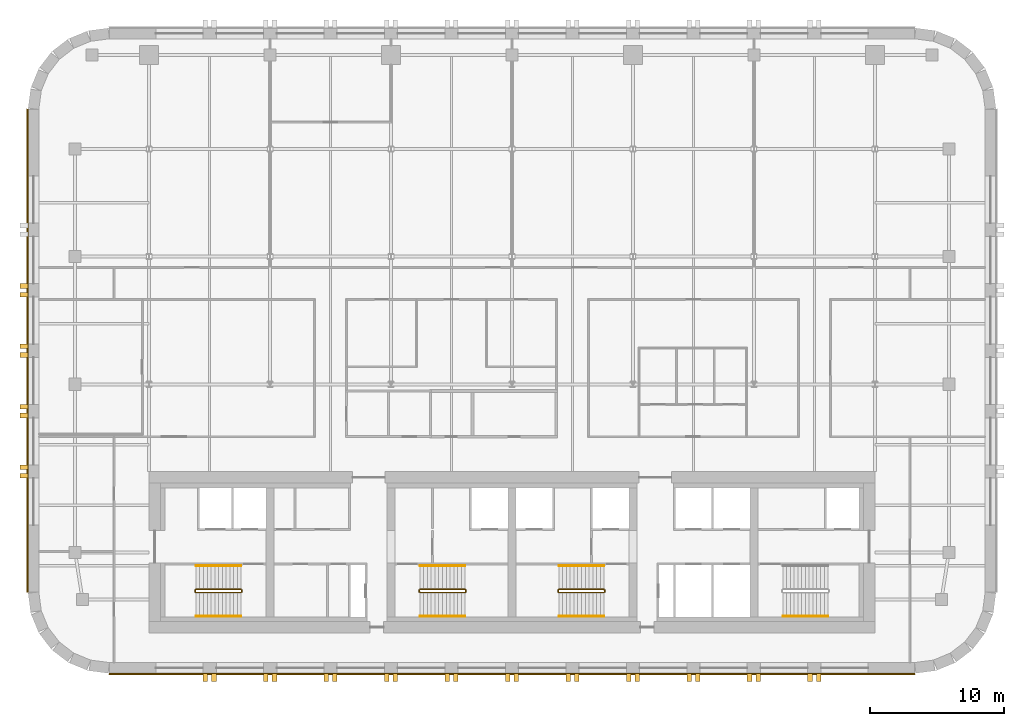
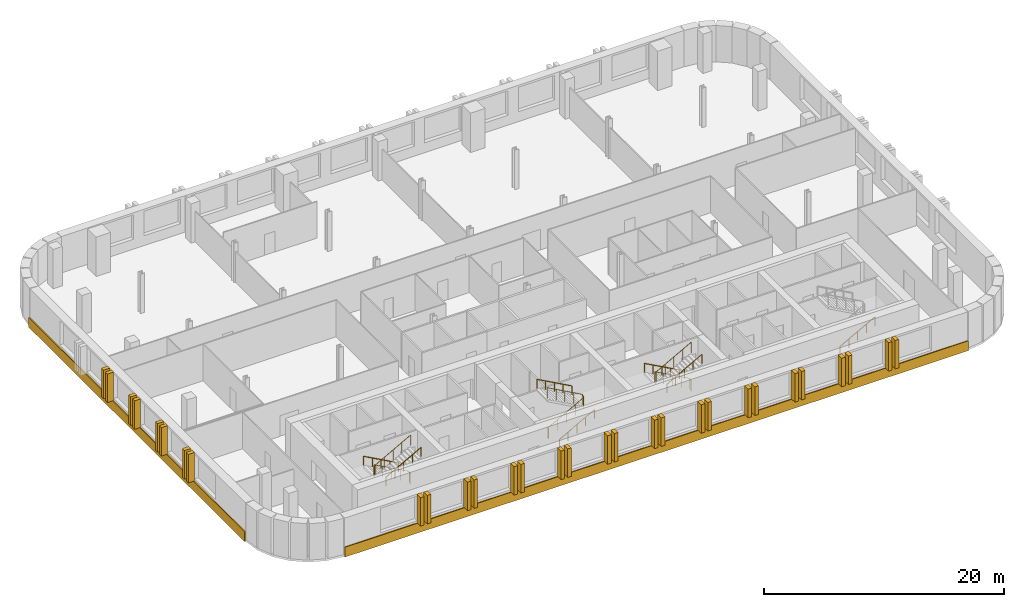
# One storey, part 10 of 11: 32 coverings, 10 railings.
"""IFC4 building model written with IfcOpenShell, lengths in metres."""

from ifc_helpers import new_model, si_unit, direction, frame, origin, origin_2d, place, context, subcontext, project, spatial, polyline, circle, outline, extrude, material, layer, layer_set, type_object, element, save


model = new_model("IFC4")

# Units and contexts
model_context = context("Model", 3, precision=1e-05, world=origin(), true_north=direction((0.0, 1.0)))
body_context = subcontext(model_context, "Body", "Model", "MODEL_VIEW")
ifc_project = project(units=[si_unit("LENGTHUNIT", "METRE"), si_unit("AREAUNIT", "SQUARE_METRE"), si_unit("VOLUMEUNIT", "CUBIC_METRE"), si_unit("PLANEANGLEUNIT", "RADIAN"), si_unit("MASSUNIT", "GRAM", prefix="KILO")], contexts=[model_context])

# Site, building, storey
site_placement = place(None, origin())
site = spatial("IfcSite", under=ifc_project, at=site_placement, CompositionType="ELEMENT")
building_placement = place(site_placement, origin())
building = spatial("IfcBuilding", under=site, at=building_placement, Name="Zellij Exchange Tower", CompositionType="ELEMENT")
storey_placement = place(building_placement, frame((0.0, 0.0, 208.5)))
storey = spatial("IfcBuildingStorey", under=building, at=storey_placement, Name="L48", CompositionType="ELEMENT", Elevation=208.5)

# Railings
ifc_material_1 = material(Name="Stainless steel", Category="steel")
railing_type_1 = type_object("IfcRailingType", Name="CORE-RG stair guard", PredefinedType="GUARDRAIL", material=ifc_material_1)
railing_1_placement = place(storey_placement, frame((-20.10009765625, -10.800048828125, 0.0)))
element("IfcRailing", 1, at=railing_1_placement, inside=storey, type_object=railing_type_1, Name="ST1 stair guard L48", PredefinedType="GUARDRAIL", context=body_context, shape_type="SweptSolid", body=[
    extrude(circle(Radius=0.02392578125, at=origin_2d()), frame((0.0, 0.0, 1.076171875), z_axis=(0.0, -1.0, 0.0), x_axis=(1.0, 0.0, 0.0)), (0.0, 0.0, 1.0), 0.14990234375),
    extrude(circle(Radius=0.02392578125, at=origin_2d()), frame((0.0, -0.14990234375, 1.076171875), z_axis=(-0.193691321961, 0.777613689637, 0.598164376644), x_axis=(-0.970351222016, -0.241699205484, 0.0)), (0.0, 0.0, 1.0), 0.257080078125),
    extrude(circle(Radius=0.02392578125, at=origin_2d()), frame((-0.0498046875, 0.050048828125, 1.22998046875), z_axis=(-0.876421534553, 0.0, 0.481544695509), x_axis=(0.0, -1.0, 0.0)), (0.0, 0.0, 1.0), 3.833984375),
    extrude(circle(Radius=0.02392578125, at=origin_2d()), frame((-3.409912109375, 0.050048828125, 3.076171875), z_axis=(-0.707106781187, -0.707106781187, 0.0), x_axis=(0.707106781187, -0.707106781187, 0.0)), (0.0, 0.0, 1.0), 0.07080078125),
    extrude(circle(Radius=0.02392578125, at=origin_2d()), frame((-3.4599609375, 0.0, 3.076171875), z_axis=(0.0, -1.0, 0.0), x_axis=(1.0, 0.0, 0.0)), (0.0, 0.0, 1.0), 0.14990234375),
    extrude(circle(Radius=0.02392578125, at=origin_2d()), frame((-3.4599609375, -0.14990234375, 3.076171875), z_axis=(0.295599637079, -0.295599637079, 0.908428152975), x_axis=(0.707106781187, 0.707106781187, 0.0)), (0.0, 0.0, 1.0), 0.16943359375),
    extrude(circle(Radius=0.02392578125, at=origin_2d()), frame((-3.409912109375, -0.199951171875, 3.22998046875), z_axis=(0.876421534553, 0.0, 0.481544695509), x_axis=(0.0, 1.0, 0.0)), (0.0, 0.0, 1.0), 3.833984375),
    extrude(circle(Radius=0.02099609375, at=origin_2d()), origin(), (0.0, 0.0, 1.0), 1.052001953125),
    extrude(circle(Radius=0.02099609375, at=origin_2d()), frame((0.0, -0.14990234375, 0.0)), (0.0, 0.0, 1.0), 1.052001953125),
    extrude(circle(Radius=0.02099609375, at=origin_2d()), frame((-0.0498046875, 0.050048828125, 0.15380859375)), (0.0, 0.0, 1.0), 1.052001953125),
    extrude(circle(Radius=0.02099609375, at=origin_2d()), frame((-0.889892578125, 0.050048828125, 0.615234375)), (0.0, 0.0, 1.0), 1.052001953125),
    extrude(circle(Radius=0.02099609375, at=origin_2d()), frame((-1.72998046875, 0.050048828125, 1.076904296875)), (0.0, 0.0, 1.0), 1.052001953125),
    extrude(circle(Radius=0.02099609375, at=origin_2d()), frame((-2.56982421875, 0.050048828125, 1.53857421875)), (0.0, 0.0, 1.0), 1.052001953125),
    extrude(circle(Radius=0.02099609375, at=origin_2d()), frame((-3.409912109375, 0.050048828125, 2.0)), (0.0, 0.0, 1.0), 1.052001953125),
    extrude(circle(Radius=0.02099609375, at=origin_2d()), frame((-3.4599609375, 0.0, 2.0)), (0.0, 0.0, 1.0), 1.052001953125),
    extrude(circle(Radius=0.02099609375, at=origin_2d()), frame((-3.4599609375, -0.14990234375, 2.0)), (0.0, 0.0, 1.0), 1.052001953125),
    extrude(circle(Radius=0.02099609375, at=origin_2d()), frame((-3.409912109375, -0.199951171875, 2.15380859375)), (0.0, 0.0, 1.0), 1.052001953125),
    extrude(circle(Radius=0.02099609375, at=origin_2d()), frame((-2.56982421875, -0.199951171875, 2.615234375)), (0.0, 0.0, 1.0), 1.052001953125),
    extrude(circle(Radius=0.02099609375, at=origin_2d()), frame((-1.72998046875, -0.199951171875, 3.076904296875)), (0.0, 0.0, 1.0), 1.052001953125),
    extrude(circle(Radius=0.02099609375, at=origin_2d()), frame((-0.889892578125, -0.199951171875, 3.53857421875)), (0.0, 0.0, 1.0), 1.052001953125),
    extrude(circle(Radius=0.02099609375, at=origin_2d()), frame((-0.0498046875, -0.199951171875, 4.0)), (0.0, 0.0, 1.0), 1.052001953125),
])
railing_2_placement = place(storey_placement, frame((-6.89990234375, -10.949951171875, 0.0)))
element("IfcRailing", 2, at=railing_2_placement, inside=storey, type_object=railing_type_1, Name="ST2 stair guard L48", PredefinedType="GUARDRAIL", context=body_context, shape_type="SweptSolid", body=[
    extrude(circle(Radius=0.02392578125, at=origin_2d()), frame((0.0, 0.0, 1.076171875), z_axis=(0.0, 1.0, 0.0), x_axis=(-1.0, 0.0, 0.0)), (0.0, 0.0, 1.0), 0.14990234375),
    extrude(circle(Radius=0.02392578125, at=origin_2d()), frame((0.0, 0.14990234375, 1.076171875), z_axis=(0.193691321961, -0.777613689637, 0.598164376644), x_axis=(0.970351222016, 0.241699205484, 0.0)), (0.0, 0.0, 1.0), 0.257080078125),
    extrude(circle(Radius=0.02392578125, at=origin_2d()), frame((0.0498046875, -0.050048828125, 1.22998046875), z_axis=(0.876421534553, 0.0, 0.481544695509), x_axis=(0.0, 1.0, 0.0)), (0.0, 0.0, 1.0), 3.833984375),
    extrude(circle(Radius=0.02392578125, at=origin_2d()), frame((3.409912109375, -0.050048828125, 3.076171875), z_axis=(0.707106781187, 0.707106781187, 0.0), x_axis=(-0.707106781187, 0.707106781187, 0.0)), (0.0, 0.0, 1.0), 0.07080078125),
    extrude(circle(Radius=0.02392578125, at=origin_2d()), frame((3.4599609375, 0.0, 3.076171875), z_axis=(0.0, 1.0, 0.0), x_axis=(-1.0, 0.0, 0.0)), (0.0, 0.0, 1.0), 0.14990234375),
    extrude(circle(Radius=0.02392578125, at=origin_2d()), frame((3.4599609375, 0.14990234375, 3.076171875), z_axis=(-0.295599637079, 0.295599637079, 0.908428152975), x_axis=(-0.707106781187, -0.707106781187, 0.0)), (0.0, 0.0, 1.0), 0.16943359375),
    extrude(circle(Radius=0.02392578125, at=origin_2d()), frame((3.409912109375, 0.199951171875, 3.22998046875), z_axis=(-0.876421534553, 0.0, 0.481544695509), x_axis=(0.0, -1.0, 0.0)), (0.0, 0.0, 1.0), 3.833984375),
    extrude(circle(Radius=0.02099609375, at=origin_2d()), origin(), (0.0, 0.0, 1.0), 1.052001953125),
    extrude(circle(Radius=0.02099609375, at=origin_2d()), frame((0.0, 0.14990234375, 0.0)), (0.0, 0.0, 1.0), 1.052001953125),
    extrude(circle(Radius=0.02099609375, at=origin_2d()), frame((0.0498046875, -0.050048828125, 0.15380859375)), (0.0, 0.0, 1.0), 1.052001953125),
    extrude(circle(Radius=0.02099609375, at=origin_2d()), frame((0.889892578125, -0.050048828125, 0.615234375)), (0.0, 0.0, 1.0), 1.052001953125),
    extrude(circle(Radius=0.02099609375, at=origin_2d()), frame((1.72998046875, -0.050048828125, 1.076904296875)), (0.0, 0.0, 1.0), 1.052001953125),
    extrude(circle(Radius=0.02099609375, at=origin_2d()), frame((2.56982421875, -0.050048828125, 1.53857421875)), (0.0, 0.0, 1.0), 1.052001953125),
    extrude(circle(Radius=0.02099609375, at=origin_2d()), frame((3.409912109375, -0.050048828125, 2.0)), (0.0, 0.0, 1.0), 1.052001953125),
    extrude(circle(Radius=0.02099609375, at=origin_2d()), frame((3.4599609375, 0.0, 2.0)), (0.0, 0.0, 1.0), 1.052001953125),
    extrude(circle(Radius=0.02099609375, at=origin_2d()), frame((3.4599609375, 0.14990234375, 2.0)), (0.0, 0.0, 1.0), 1.052001953125),
    extrude(circle(Radius=0.02099609375, at=origin_2d()), frame((3.409912109375, 0.199951171875, 2.15380859375)), (0.0, 0.0, 1.0), 1.052001953125),
    extrude(circle(Radius=0.02099609375, at=origin_2d()), frame((2.56982421875, 0.199951171875, 2.615234375)), (0.0, 0.0, 1.0), 1.052001953125),
    extrude(circle(Radius=0.02099609375, at=origin_2d()), frame((1.72998046875, 0.199951171875, 3.076904296875)), (0.0, 0.0, 1.0), 1.052001953125),
    extrude(circle(Radius=0.02099609375, at=origin_2d()), frame((0.889892578125, 0.199951171875, 3.53857421875)), (0.0, 0.0, 1.0), 1.052001953125),
    extrude(circle(Radius=0.02099609375, at=origin_2d()), frame((0.0498046875, 0.199951171875, 4.0)), (0.0, 0.0, 1.0), 1.052001953125),
])
railing_3_placement = place(storey_placement, frame((6.89990234375, -10.800048828125, 0.0)))
element("IfcRailing", 3, at=railing_3_placement, inside=storey, type_object=railing_type_1, Name="ST3 stair guard L48", PredefinedType="GUARDRAIL", context=body_context, shape_type="SweptSolid", body=[
    extrude(circle(Radius=0.02392578125, at=origin_2d()), frame((0.0, 0.0, 1.076171875), z_axis=(0.0, -1.0, 0.0), x_axis=(1.0, 0.0, 0.0)), (0.0, 0.0, 1.0), 0.14990234375),
    extrude(circle(Radius=0.02392578125, at=origin_2d()), frame((0.0, -0.14990234375, 1.076171875), z_axis=(-0.193691321961, 0.777613689637, 0.598164376644), x_axis=(-0.970351222016, -0.241699205484, 0.0)), (0.0, 0.0, 1.0), 0.257080078125),
    extrude(circle(Radius=0.02392578125, at=origin_2d()), frame((-0.0498046875, 0.050048828125, 1.22998046875), z_axis=(-0.876421534553, 0.0, 0.481544695509), x_axis=(0.0, -1.0, 0.0)), (0.0, 0.0, 1.0), 3.833984375),
    extrude(circle(Radius=0.02392578125, at=origin_2d()), frame((-3.409912109375, 0.050048828125, 3.076171875), z_axis=(-0.707106781187, -0.707106781187, 0.0), x_axis=(0.707106781187, -0.707106781187, 0.0)), (0.0, 0.0, 1.0), 0.07080078125),
    extrude(circle(Radius=0.02392578125, at=origin_2d()), frame((-3.4599609375, 0.0, 3.076171875), z_axis=(0.0, -1.0, 0.0), x_axis=(1.0, 0.0, 0.0)), (0.0, 0.0, 1.0), 0.14990234375),
    extrude(circle(Radius=0.02392578125, at=origin_2d()), frame((-3.4599609375, -0.14990234375, 3.076171875), z_axis=(0.295599637079, -0.295599637079, 0.908428152975), x_axis=(0.707106781187, 0.707106781187, 0.0)), (0.0, 0.0, 1.0), 0.16943359375),
    extrude(circle(Radius=0.02392578125, at=origin_2d()), frame((-3.409912109375, -0.199951171875, 3.22998046875), z_axis=(0.876421534553, 0.0, 0.481544695509), x_axis=(0.0, 1.0, 0.0)), (0.0, 0.0, 1.0), 3.833984375),
    extrude(circle(Radius=0.02099609375, at=origin_2d()), origin(), (0.0, 0.0, 1.0), 1.052001953125),
    extrude(circle(Radius=0.02099609375, at=origin_2d()), frame((0.0, -0.14990234375, 0.0)), (0.0, 0.0, 1.0), 1.052001953125),
    extrude(circle(Radius=0.02099609375, at=origin_2d()), frame((-0.0498046875, 0.050048828125, 0.15380859375)), (0.0, 0.0, 1.0), 1.052001953125),
    extrude(circle(Radius=0.02099609375, at=origin_2d()), frame((-0.889892578125, 0.050048828125, 0.615234375)), (0.0, 0.0, 1.0), 1.052001953125),
    extrude(circle(Radius=0.02099609375, at=origin_2d()), frame((-1.72998046875, 0.050048828125, 1.076904296875)), (0.0, 0.0, 1.0), 1.052001953125),
    extrude(circle(Radius=0.02099609375, at=origin_2d()), frame((-2.56982421875, 0.050048828125, 1.53857421875)), (0.0, 0.0, 1.0), 1.052001953125),
    extrude(circle(Radius=0.02099609375, at=origin_2d()), frame((-3.409912109375, 0.050048828125, 2.0)), (0.0, 0.0, 1.0), 1.052001953125),
    extrude(circle(Radius=0.02099609375, at=origin_2d()), frame((-3.4599609375, 0.0, 2.0)), (0.0, 0.0, 1.0), 1.052001953125),
    extrude(circle(Radius=0.02099609375, at=origin_2d()), frame((-3.4599609375, -0.14990234375, 2.0)), (0.0, 0.0, 1.0), 1.052001953125),
    extrude(circle(Radius=0.02099609375, at=origin_2d()), frame((-3.409912109375, -0.199951171875, 2.15380859375)), (0.0, 0.0, 1.0), 1.052001953125),
    extrude(circle(Radius=0.02099609375, at=origin_2d()), frame((-2.56982421875, -0.199951171875, 2.615234375)), (0.0, 0.0, 1.0), 1.052001953125),
    extrude(circle(Radius=0.02099609375, at=origin_2d()), frame((-1.72998046875, -0.199951171875, 3.076904296875)), (0.0, 0.0, 1.0), 1.052001953125),
    extrude(circle(Radius=0.02099609375, at=origin_2d()), frame((-0.889892578125, -0.199951171875, 3.53857421875)), (0.0, 0.0, 1.0), 1.052001953125),
    extrude(circle(Radius=0.02099609375, at=origin_2d()), frame((-0.0498046875, -0.199951171875, 4.0)), (0.0, 0.0, 1.0), 1.052001953125),
])
railing_type_2 = type_object("IfcRailingType", Name="CORE-RH stair handrail", PredefinedType="HANDRAIL", material=ifc_material_1)
railing_4_placement = place(storey_placement, frame((-20.14990234375, -9.0, 0.15380859375)))
element("IfcRailing", 4, at=railing_4_placement, inside=storey, type_object=railing_type_2, Name="ST1 stair handrail L48", PredefinedType="HANDRAIL", context=body_context, shape_type="SweptSolid", body=[
    extrude(circle(Radius=0.02392578125, at=origin_2d()), frame((0.0, 0.0, 0.8759765625), z_axis=(-0.876421534553, 0.0, 0.481544695509), x_axis=(0.0, -1.0, 0.0)), (0.0, 0.0, 1.0), 3.833984375),
    extrude(circle(Radius=0.02099609375, at=origin_2d()), origin(), (0.0, 0.0, 1.0), 0.851806640625),
    extrude(circle(Radius=0.02099609375, at=origin_2d()), frame((-0.840087890625, 0.0, 0.46142578125)), (0.0, 0.0, 1.0), 0.851806640625),
    extrude(circle(Radius=0.02099609375, at=origin_2d()), frame((-1.68017578125, 0.0, 0.923095703125)), (0.0, 0.0, 1.0), 0.851806640625),
    extrude(circle(Radius=0.02099609375, at=origin_2d()), frame((-2.52001953125, 0.0, 1.384765625)), (0.0, 0.0, 1.0), 0.851806640625),
    extrude(circle(Radius=0.02099609375, at=origin_2d()), frame((-3.360107421875, 0.0, 1.84619140625)), (0.0, 0.0, 1.0), 0.851806640625),
])
for number, where, name in (
    (5, (-23.510009765625, -12.75, 2.15380859375), "ST1 stair handrail L48"),
    (6, (-6.85009765625, -12.75, 0.15380859375), "ST2 stair handrail L48"),
):
    element("IfcRailing", number, at=place(storey_placement, frame(where)), inside=storey, type_object=railing_type_2, Name=name, PredefinedType="HANDRAIL", context=body_context, shape_type="SweptSolid", body=[
        extrude(circle(Radius=0.02392578125, at=origin_2d()), frame((0.0, 0.0, 0.8759765625), z_axis=(0.876421534553, 0.0, 0.481544695509), x_axis=(0.0, 1.0, 0.0)), (0.0, 0.0, 1.0), 3.833984375),
        extrude(circle(Radius=0.02099609375, at=origin_2d()), origin(), (0.0, 0.0, 1.0), 0.851806640625),
        extrude(circle(Radius=0.02099609375, at=origin_2d()), frame((0.840087890625, 0.0, 0.46142578125)), (0.0, 0.0, 1.0), 0.851806640625),
        extrude(circle(Radius=0.02099609375, at=origin_2d()), frame((1.68017578125, 0.0, 0.923095703125)), (0.0, 0.0, 1.0), 0.851806640625),
        extrude(circle(Radius=0.02099609375, at=origin_2d()), frame((2.52001953125, 0.0, 1.384765625)), (0.0, 0.0, 1.0), 0.851806640625),
        extrude(circle(Radius=0.02099609375, at=origin_2d()), frame((3.360107421875, 0.0, 1.84619140625)), (0.0, 0.0, 1.0), 0.851806640625),
    ])
for number, where, name in (
    (7, (-3.489990234375, -9.0, 2.15380859375), "ST2 stair handrail L48"),
    (8, (6.85009765625, -9.0, 0.15380859375), "ST3 stair handrail L48"),
):
    element("IfcRailing", number, at=place(storey_placement, frame(where)), inside=storey, type_object=railing_type_2, Name=name, PredefinedType="HANDRAIL", context=body_context, shape_type="SweptSolid", body=[
        extrude(circle(Radius=0.02392578125, at=origin_2d()), frame((0.0, 0.0, 0.8759765625), z_axis=(-0.876421534553, 0.0, 0.481544695509), x_axis=(0.0, -1.0, 0.0)), (0.0, 0.0, 1.0), 3.833984375),
        extrude(circle(Radius=0.02099609375, at=origin_2d()), origin(), (0.0, 0.0, 1.0), 0.851806640625),
        extrude(circle(Radius=0.02099609375, at=origin_2d()), frame((-0.840087890625, 0.0, 0.46142578125)), (0.0, 0.0, 1.0), 0.851806640625),
        extrude(circle(Radius=0.02099609375, at=origin_2d()), frame((-1.68017578125, 0.0, 0.923095703125)), (0.0, 0.0, 1.0), 0.851806640625),
        extrude(circle(Radius=0.02099609375, at=origin_2d()), frame((-2.52001953125, 0.0, 1.384765625)), (0.0, 0.0, 1.0), 0.851806640625),
        extrude(circle(Radius=0.02099609375, at=origin_2d()), frame((-3.360107421875, 0.0, 1.84619140625)), (0.0, 0.0, 1.0), 0.851806640625),
    ])
for number, where, name in (
    (9, (3.489990234375, -12.75, 2.15380859375), "ST3 stair handrail L48"),
    (10, (20.14990234375, -12.75, 0.15380859375), "ST4 stair handrail L48"),
):
    element("IfcRailing", number, at=place(storey_placement, frame(where)), inside=storey, type_object=railing_type_2, Name=name, PredefinedType="HANDRAIL", context=body_context, shape_type="SweptSolid", body=[
        extrude(circle(Radius=0.02392578125, at=origin_2d()), frame((0.0, 0.0, 0.8759765625), z_axis=(0.876421534553, 0.0, 0.481544695509), x_axis=(0.0, 1.0, 0.0)), (0.0, 0.0, 1.0), 3.833984375),
        extrude(circle(Radius=0.02099609375, at=origin_2d()), origin(), (0.0, 0.0, 1.0), 0.851806640625),
        extrude(circle(Radius=0.02099609375, at=origin_2d()), frame((0.840087890625, 0.0, 0.46142578125)), (0.0, 0.0, 1.0), 0.851806640625),
        extrude(circle(Radius=0.02099609375, at=origin_2d()), frame((1.68017578125, 0.0, 0.923095703125)), (0.0, 0.0, 1.0), 0.851806640625),
        extrude(circle(Radius=0.02099609375, at=origin_2d()), frame((2.52001953125, 0.0, 1.384765625)), (0.0, 0.0, 1.0), 0.851806640625),
        extrude(circle(Radius=0.02099609375, at=origin_2d()), frame((3.360107421875, 0.0, 1.84619140625)), (0.0, 0.0, 1.0), 0.851806640625),
    ])

# Coverings
ifc_material_2 = material(Name="Limestone cladding", Category="masonry")
covering_type_1 = type_object("IfcCoveringType", Name="ENV-CV3 Stone pier 350x600", PredefinedType="CLADDING", material=ifc_material_2)
covering_1_placement = place(storey_placement, frame((0.0, 0.0, 0.800048828125)))
element("IfcCovering", 11, at=covering_1_placement, inside=storey, type_object=covering_type_1, Name="Stone pier", PredefinedType="CLADDING", context=body_context, shape_type="SweptSolid", body=[
    extrude(outline(polyline([(-23.0, -17.0), (-22.64990234375, -17.0), (-22.64990234375, -17.60009765625), (-23.0, -17.60009765625), (-23.0, -17.0)])), origin(), (0.0, 0.0, 1.0), 2.89990234375),
])
covering_2_placement = place(storey_placement, frame((0.0, 0.0, 0.800048828125)))
element("IfcCovering", 12, at=covering_2_placement, inside=storey, type_object=covering_type_1, Name="Stone pier", PredefinedType="CLADDING", context=body_context, shape_type="SweptSolid", body=[
    extrude(outline(polyline([(-22.35009765625, -17.0), (-22.0, -17.0), (-22.0, -17.60009765625), (-22.35009765625, -17.60009765625), (-22.35009765625, -17.0)])), origin(), (0.0, 0.0, 1.0), 2.89990234375),
])
covering_3_placement = place(storey_placement, frame((0.0, 0.0, 0.800048828125)))
element("IfcCovering", 13, at=covering_3_placement, inside=storey, type_object=covering_type_1, Name="Stone pier", PredefinedType="CLADDING", context=body_context, shape_type="SweptSolid", body=[
    extrude(outline(polyline([(-18.5, -17.0), (-18.14990234375, -17.0), (-18.14990234375, -17.60009765625), (-18.5, -17.60009765625), (-18.5, -17.0)])), origin(), (0.0, 0.0, 1.0), 2.89990234375),
])
covering_4_placement = place(storey_placement, frame((0.0, 0.0, 0.800048828125)))
element("IfcCovering", 14, at=covering_4_placement, inside=storey, type_object=covering_type_1, Name="Stone pier", PredefinedType="CLADDING", context=body_context, shape_type="SweptSolid", body=[
    extrude(outline(polyline([(-17.85009765625, -17.0), (-17.5, -17.0), (-17.5, -17.60009765625), (-17.85009765625, -17.60009765625), (-17.85009765625, -17.0)])), origin(), (0.0, 0.0, 1.0), 2.89990234375),
])
covering_5_placement = place(storey_placement, frame((0.0, 0.0, 0.800048828125)))
element("IfcCovering", 15, at=covering_5_placement, inside=storey, type_object=covering_type_1, Name="Stone pier", PredefinedType="CLADDING", context=body_context, shape_type="SweptSolid", body=[
    extrude(outline(polyline([(-14.0, -17.0), (-13.64990234375, -17.0), (-13.64990234375, -17.60009765625), (-14.0, -17.60009765625), (-14.0, -17.0)])), origin(), (0.0, 0.0, 1.0), 2.89990234375),
])
covering_6_placement = place(storey_placement, frame((0.0, 0.0, 0.800048828125)))
element("IfcCovering", 16, at=covering_6_placement, inside=storey, type_object=covering_type_1, Name="Stone pier", PredefinedType="CLADDING", context=body_context, shape_type="SweptSolid", body=[
    extrude(outline(polyline([(-13.35009765625, -17.0), (-13.0, -17.0), (-13.0, -17.60009765625), (-13.35009765625, -17.60009765625), (-13.35009765625, -17.0)])), origin(), (0.0, 0.0, 1.0), 2.89990234375),
])
covering_7_placement = place(storey_placement, frame((0.0, 0.0, 0.800048828125)))
element("IfcCovering", 17, at=covering_7_placement, inside=storey, type_object=covering_type_1, Name="Stone pier", PredefinedType="CLADDING", context=body_context, shape_type="SweptSolid", body=[
    extrude(outline(polyline([(-9.5, -17.0), (-9.14990234375, -17.0), (-9.14990234375, -17.60009765625), (-9.5, -17.60009765625), (-9.5, -17.0)])), origin(), (0.0, 0.0, 1.0), 2.89990234375),
])
covering_8_placement = place(storey_placement, frame((0.0, 0.0, 0.800048828125)))
element("IfcCovering", 18, at=covering_8_placement, inside=storey, type_object=covering_type_1, Name="Stone pier", PredefinedType="CLADDING", context=body_context, shape_type="SweptSolid", body=[
    extrude(outline(polyline([(-8.85009765625, -17.0), (-8.5, -17.0), (-8.5, -17.60009765625), (-8.85009765625, -17.60009765625), (-8.85009765625, -17.0)])), origin(), (0.0, 0.0, 1.0), 2.89990234375),
])
covering_9_placement = place(storey_placement, frame((0.0, 0.0, 0.800048828125)))
element("IfcCovering", 19, at=covering_9_placement, inside=storey, type_object=covering_type_1, Name="Stone pier", PredefinedType="CLADDING", context=body_context, shape_type="SweptSolid", body=[
    extrude(outline(polyline([(-5.0, -17.0), (-4.64990234375, -17.0), (-4.64990234375, -17.60009765625), (-5.0, -17.60009765625), (-5.0, -17.0)])), origin(), (0.0, 0.0, 1.0), 2.89990234375),
])
covering_10_placement = place(storey_placement, frame((0.0, 0.0, 0.800048828125)))
element("IfcCovering", 20, at=covering_10_placement, inside=storey, type_object=covering_type_1, Name="Stone pier", PredefinedType="CLADDING", context=body_context, shape_type="SweptSolid", body=[
    extrude(outline(polyline([(-4.35009765625, -17.0), (-4.0, -17.0), (-4.0, -17.60009765625), (-4.35009765625, -17.60009765625), (-4.35009765625, -17.0)])), origin(), (0.0, 0.0, 1.0), 2.89990234375),
])
covering_11_placement = place(storey_placement, frame((0.0, 0.0, 0.800048828125)))
element("IfcCovering", 21, at=covering_11_placement, inside=storey, type_object=covering_type_1, Name="Stone pier", PredefinedType="CLADDING", context=body_context, shape_type="SweptSolid", body=[
    extrude(outline(polyline([(-0.5, -17.0), (-0.14990234375, -17.0), (-0.14990234375, -17.60009765625), (-0.5, -17.60009765625), (-0.5, -17.0)])), origin(), (0.0, 0.0, 1.0), 2.89990234375),
])
covering_12_placement = place(storey_placement, frame((0.0, 0.0, 0.800048828125)))
element("IfcCovering", 22, at=covering_12_placement, inside=storey, type_object=covering_type_1, Name="Stone pier", PredefinedType="CLADDING", context=body_context, shape_type="SweptSolid", body=[
    extrude(outline(polyline([(0.14990234375, -17.0), (0.5, -17.0), (0.5, -17.60009765625), (0.14990234375, -17.60009765625), (0.14990234375, -17.0)])), origin(), (0.0, 0.0, 1.0), 2.89990234375),
])
covering_13_placement = place(storey_placement, frame((0.0, 0.0, 0.800048828125)))
element("IfcCovering", 23, at=covering_13_placement, inside=storey, type_object=covering_type_1, Name="Stone pier", PredefinedType="CLADDING", context=body_context, shape_type="SweptSolid", body=[
    extrude(outline(polyline([(4.0, -17.0), (4.35009765625, -17.0), (4.35009765625, -17.60009765625), (4.0, -17.60009765625), (4.0, -17.0)])), origin(), (0.0, 0.0, 1.0), 2.89990234375),
])
covering_14_placement = place(storey_placement, frame((0.0, 0.0, 0.800048828125)))
element("IfcCovering", 24, at=covering_14_placement, inside=storey, type_object=covering_type_1, Name="Stone pier", PredefinedType="CLADDING", context=body_context, shape_type="SweptSolid", body=[
    extrude(outline(polyline([(4.64990234375, -17.0), (5.0, -17.0), (5.0, -17.60009765625), (4.64990234375, -17.60009765625), (4.64990234375, -17.0)])), origin(), (0.0, 0.0, 1.0), 2.89990234375),
])
covering_15_placement = place(storey_placement, frame((0.0, 0.0, 0.800048828125)))
element("IfcCovering", 25, at=covering_15_placement, inside=storey, type_object=covering_type_1, Name="Stone pier", PredefinedType="CLADDING", context=body_context, shape_type="SweptSolid", body=[
    extrude(outline(polyline([(8.5, -17.0), (8.85009765625, -17.0), (8.85009765625, -17.60009765625), (8.5, -17.60009765625), (8.5, -17.0)])), origin(), (0.0, 0.0, 1.0), 2.89990234375),
])
covering_16_placement = place(storey_placement, frame((0.0, 0.0, 0.800048828125)))
element("IfcCovering", 26, at=covering_16_placement, inside=storey, type_object=covering_type_1, Name="Stone pier", PredefinedType="CLADDING", context=body_context, shape_type="SweptSolid", body=[
    extrude(outline(polyline([(9.14990234375, -17.0), (9.5, -17.0), (9.5, -17.60009765625), (9.14990234375, -17.60009765625), (9.14990234375, -17.0)])), origin(), (0.0, 0.0, 1.0), 2.89990234375),
])
covering_17_placement = place(storey_placement, frame((0.0, 0.0, 0.800048828125)))
element("IfcCovering", 27, at=covering_17_placement, inside=storey, type_object=covering_type_1, Name="Stone pier", PredefinedType="CLADDING", context=body_context, shape_type="SweptSolid", body=[
    extrude(outline(polyline([(13.0, -17.0), (13.35009765625, -17.0), (13.35009765625, -17.60009765625), (13.0, -17.60009765625), (13.0, -17.0)])), origin(), (0.0, 0.0, 1.0), 2.89990234375),
])
covering_18_placement = place(storey_placement, frame((0.0, 0.0, 0.800048828125)))
element("IfcCovering", 28, at=covering_18_placement, inside=storey, type_object=covering_type_1, Name="Stone pier", PredefinedType="CLADDING", context=body_context, shape_type="SweptSolid", body=[
    extrude(outline(polyline([(13.64990234375, -17.0), (14.0, -17.0), (14.0, -17.60009765625), (13.64990234375, -17.60009765625), (13.64990234375, -17.0)])), origin(), (0.0, 0.0, 1.0), 2.89990234375),
])
covering_19_placement = place(storey_placement, frame((0.0, 0.0, 0.800048828125)))
element("IfcCovering", 29, at=covering_19_placement, inside=storey, type_object=covering_type_1, Name="Stone pier", PredefinedType="CLADDING", context=body_context, shape_type="SweptSolid", body=[
    extrude(outline(polyline([(17.5, -17.0), (17.85009765625, -17.0), (17.85009765625, -17.60009765625), (17.5, -17.60009765625), (17.5, -17.0)])), origin(), (0.0, 0.0, 1.0), 2.89990234375),
])
covering_20_placement = place(storey_placement, frame((0.0, 0.0, 0.800048828125)))
element("IfcCovering", 30, at=covering_20_placement, inside=storey, type_object=covering_type_1, Name="Stone pier", PredefinedType="CLADDING", context=body_context, shape_type="SweptSolid", body=[
    extrude(outline(polyline([(18.14990234375, -17.0), (18.5, -17.0), (18.5, -17.60009765625), (18.14990234375, -17.60009765625), (18.14990234375, -17.0)])), origin(), (0.0, 0.0, 1.0), 2.89990234375),
])
covering_21_placement = place(storey_placement, frame((0.0, 0.0, 0.800048828125)))
element("IfcCovering", 31, at=covering_21_placement, inside=storey, type_object=covering_type_1, Name="Stone pier", PredefinedType="CLADDING", context=body_context, shape_type="SweptSolid", body=[
    extrude(outline(polyline([(22.0, -17.0), (22.35009765625, -17.0), (22.35009765625, -17.60009765625), (22.0, -17.60009765625), (22.0, -17.0)])), origin(), (0.0, 0.0, 1.0), 2.89990234375),
])
covering_22_placement = place(storey_placement, frame((0.0, 0.0, 0.800048828125)))
element("IfcCovering", 32, at=covering_22_placement, inside=storey, type_object=covering_type_1, Name="Stone pier", PredefinedType="CLADDING", context=body_context, shape_type="SweptSolid", body=[
    extrude(outline(polyline([(22.64990234375, -17.0), (23.0, -17.0), (23.0, -17.60009765625), (22.64990234375, -17.60009765625), (22.64990234375, -17.0)])), origin(), (0.0, 0.0, 1.0), 2.89990234375),
])
covering_23_placement = place(storey_placement, frame((0.0, 0.0, 0.800048828125)))
element("IfcCovering", 33, at=covering_23_placement, inside=storey, type_object=covering_type_1, Name="Stone pier", PredefinedType="CLADDING", context=body_context, shape_type="SweptSolid", body=[
    extrude(outline(polyline([(-36.0, 11.993408203125), (-36.0, 11.6435546875), (-36.60009765625, 11.6435546875), (-36.60009765625, 11.993408203125), (-36.0, 11.993408203125)])), origin(), (0.0, 0.0, 1.0), 2.89990234375),
])
covering_24_placement = place(storey_placement, frame((0.0, 0.0, 0.800048828125)))
element("IfcCovering", 34, at=covering_24_placement, inside=storey, type_object=covering_type_1, Name="Stone pier", PredefinedType="CLADDING", context=body_context, shape_type="SweptSolid", body=[
    extrude(outline(polyline([(-36.0, 11.343505859375), (-36.0, 10.993408203125), (-36.60009765625, 10.993408203125), (-36.60009765625, 11.343505859375), (-36.0, 11.343505859375)])), origin(), (0.0, 0.0, 1.0), 2.89990234375),
])
covering_25_placement = place(storey_placement, frame((0.0, 0.0, 0.800048828125)))
element("IfcCovering", 35, at=covering_25_placement, inside=storey, type_object=covering_type_1, Name="Stone pier", PredefinedType="CLADDING", context=body_context, shape_type="SweptSolid", body=[
    extrude(outline(polyline([(-36.0, 7.5), (-36.0, 7.14990234375), (-36.60009765625, 7.14990234375), (-36.60009765625, 7.5), (-36.0, 7.5)])), origin(), (0.0, 0.0, 1.0), 2.89990234375),
])
covering_26_placement = place(storey_placement, frame((0.0, 0.0, 0.800048828125)))
element("IfcCovering", 36, at=covering_26_placement, inside=storey, type_object=covering_type_1, Name="Stone pier", PredefinedType="CLADDING", context=body_context, shape_type="SweptSolid", body=[
    extrude(outline(polyline([(-36.0, 6.85009765625), (-36.0, 6.5), (-36.60009765625, 6.5), (-36.60009765625, 6.85009765625), (-36.0, 6.85009765625)])), origin(), (0.0, 0.0, 1.0), 2.89990234375),
])
covering_27_placement = place(storey_placement, frame((0.0, 0.0, 0.800048828125)))
element("IfcCovering", 37, at=covering_27_placement, inside=storey, type_object=covering_type_1, Name="Stone pier", PredefinedType="CLADDING", context=body_context, shape_type="SweptSolid", body=[
    extrude(outline(polyline([(-36.0, 3.006591796875), (-36.0, 2.656494140625), (-36.60009765625, 2.656494140625), (-36.60009765625, 3.006591796875), (-36.0, 3.006591796875)])), origin(), (0.0, 0.0, 1.0), 2.89990234375),
])
covering_28_placement = place(storey_placement, frame((0.0, 0.0, 0.800048828125)))
element("IfcCovering", 38, at=covering_28_placement, inside=storey, type_object=covering_type_1, Name="Stone pier", PredefinedType="CLADDING", context=body_context, shape_type="SweptSolid", body=[
    extrude(outline(polyline([(-36.0, 2.356689453125), (-36.0, 2.006591796875), (-36.60009765625, 2.006591796875), (-36.60009765625, 2.356689453125), (-36.0, 2.356689453125)])), origin(), (0.0, 0.0, 1.0), 2.89990234375),
])
covering_29_placement = place(storey_placement, frame((0.0, 0.0, 0.800048828125)))
element("IfcCovering", 39, at=covering_29_placement, inside=storey, type_object=covering_type_1, Name="Stone pier", PredefinedType="CLADDING", context=body_context, shape_type="SweptSolid", body=[
    extrude(outline(polyline([(-36.0, -1.48681640625), (-36.0, -1.8369140625), (-36.60009765625, -1.8369140625), (-36.60009765625, -1.48681640625), (-36.0, -1.48681640625)])), origin(), (0.0, 0.0, 1.0), 2.89990234375),
])
covering_30_placement = place(storey_placement, frame((0.0, 0.0, 0.800048828125)))
element("IfcCovering", 40, at=covering_30_placement, inside=storey, type_object=covering_type_1, Name="Stone pier", PredefinedType="CLADDING", context=body_context, shape_type="SweptSolid", body=[
    extrude(outline(polyline([(-36.0, -2.136962890625), (-36.0, -2.48681640625), (-36.60009765625, -2.48681640625), (-36.60009765625, -2.136962890625), (-36.0, -2.136962890625)])), origin(), (0.0, 0.0, 1.0), 2.89990234375),
])
ifc_layer = layer(ifc_material_2, 0.10009765625)
ifc_layer_set = layer_set([ifc_layer], Name="Limestone cladding")
covering_type_2 = type_object("IfcCoveringType", Name="ENV-CV9 Stone spandrel band 100", PredefinedType="CLADDING", material=ifc_layer_set)
covering_31_placement = place(storey_placement, frame((0.0, 0.0, -0.199951171875)))
element("IfcCovering", 41, at=covering_31_placement, inside=storey, type_object=covering_type_2, Name="Stone spandrel band", PredefinedType="CLADDING", context=body_context, shape_type="SweptSolid", body=[
    extrude(outline(polyline([(-29.973876953125, -17.0), (29.973876953125, -17.0), (29.980224609375, -17.10009765625), (-29.980224609375, -17.10009765625), (-29.973876953125, -17.0)])), origin(), (0.0, 0.0, 1.0), 1.0),
])
covering_32_placement = place(storey_placement, frame((0.0, 0.0, -0.199951171875)))
element("IfcCovering", 42, at=covering_32_placement, inside=storey, type_object=covering_type_2, Name="Stone spandrel band", PredefinedType="CLADDING", context=body_context, shape_type="SweptSolid", body=[
    extrude(outline(polyline([(-36.0, 24.973876953125), (-36.0, -10.973876953125), (-36.10009765625, -10.980224609375), (-36.10009765625, 24.980224609375), (-36.0, 24.973876953125)])), origin(), (0.0, 0.0, 1.0), 1.0),
])

save(model, "model.ifc")
